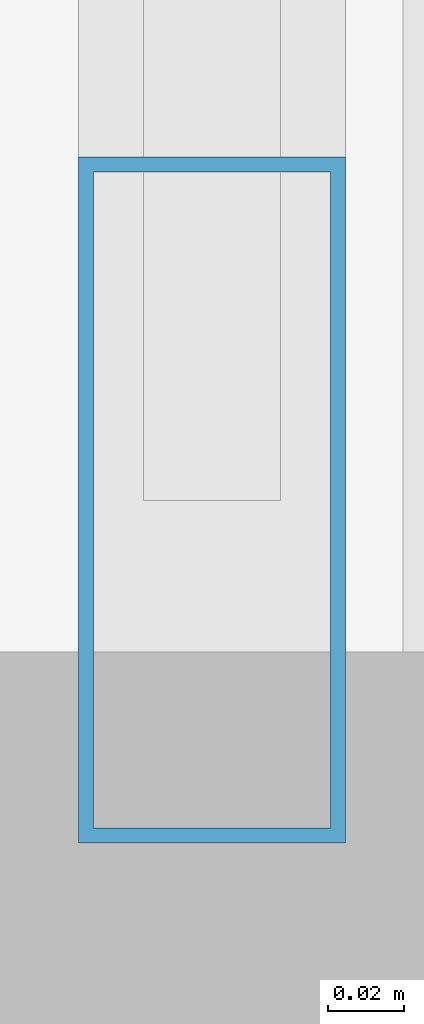
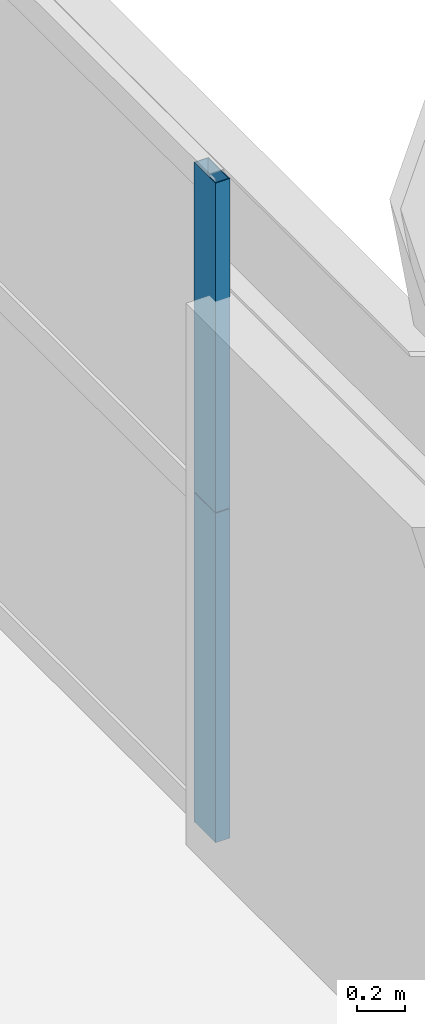
# One storey, part 16 of 41: 2 members, 1 element without a shape of its own.
"""IFC4 building model written with IfcOpenShell, lengths in metres."""

from ifc_helpers import new_model, si_unit, direction, frame, origin, origin_2d, place, context, subcontext, project, spatial, hollow_rectangle, extrude, source, transform, mapped, material, layer, layer_set, material_profile, profile_set, type_object, element, aggregate, save


model = new_model("IFC4")

# Units and contexts
model_context = context("Model", 3, precision=1e-05, world=origin(), true_north=direction((0.0, 1.0)))
body_context = subcontext(model_context, "Body", "Model", "MODEL_VIEW")
ifc_project = project(units=[si_unit("LENGTHUNIT", "METRE"), si_unit("AREAUNIT", "SQUARE_METRE"), si_unit("VOLUMEUNIT", "CUBIC_METRE"), si_unit("PLANEANGLEUNIT", "RADIAN"), si_unit("MASSUNIT", "GRAM", prefix="KILO"), si_unit("THERMODYNAMICTEMPERATUREUNIT", "KELVIN"), si_unit("POWERUNIT", "WATT")], contexts=[model_context])

# Site, building, storey
site_placement = place(None, origin())
site = spatial("IfcSite", under=ifc_project, at=site_placement, CompositionType="ELEMENT")
building_placement = place(site_placement, origin())
building = spatial("IfcBuilding", under=site, at=building_placement, Name="Yuzanri Waterfront Tower", CompositionType="ELEMENT")
storey_placement = place(building_placement, frame((0.0, 0.0, 122.60009765625)))
storey = spatial("IfcBuildingStorey", under=building, at=storey_placement, Name="L32", CompositionType="ELEMENT", Elevation=122.60009765625)

# Curtain wall, members
ifc_material_1 = material(Name="Anodized Architectural Bronze", Category="metal")
ifc_layer = layer(ifc_material_1, 0.159912109375)
ifc_layer_set = layer_set([ifc_layer], Name="Anodized Architectural Bronze")
curtain_wall_type = type_object("IfcCurtainWallType", Name="Anodized Bronze Hotel Upper-Tier Solar-Control Unitized Curtain Wall 7800", PredefinedType="NOTDEFINED", material=ifc_layer_set)
curtain_wall_placement = place(storey_placement, origin())
curtain_wall = element("IfcCurtainWall", 1, at=curtain_wall_placement, inside=storey, type_object=curtain_wall_type, Name="L32 Curtain Wall CW-L32-EL", PredefinedType="NOTDEFINED")
ifc_material_2 = material(Name="Anodized Architectural Bronze", Category="metal")
ifc_material_profile = material_profile(ifc_material_2, hollow_rectangle(XDim=0.070068359375, YDim=0.179931640625, WallThickness=0.00390625, at=origin_2d()), Name="CWM 70x180")
ifc_profile_set = profile_set([ifc_material_profile], Name="Anodized Architectural Bronze")
member_type = type_object("IfcMemberType", Name="Anodized Bronze Standard Curtain-Wall Mullion 70x180", PredefinedType="MULLION", material=ifc_profile_set)
shared_shape = source(origin(), body_context, "Body", "SweptSolid", [
    extrude(hollow_rectangle(XDim=0.070068359375, YDim=0.179931640625, WallThickness=0.00390625, at=origin_2d()), origin(), (0.0, 0.0, 1.0), 1.68798828125),
])
member_1_placement = place(storey_placement, frame((60.449951171875, 9.590087890625, 0.0), z_axis=(0.0, 0.0, 1.0), x_axis=(1.0, 0.0, 0.0)))
member_1 = element("IfcMember", 2, at=member_1_placement, type_object=member_type, Name="CW-L32-EL Lower Mullion 00", PredefinedType="MULLION", context=body_context, shape_type="MappedRepresentation", body=[
    mapped(shared_shape, transform((0.0, 0.0, 0.0), scale=1.0)),
])
member_2_placement = place(storey_placement, frame((60.449951171875, 9.590087890625, 1.69189453125), z_axis=(0.0, 0.0, 1.0), x_axis=(1.0, 0.0, 0.0)))
member_2 = element("IfcMember", 3, at=member_2_placement, type_object=member_type, Name="CW-L32-EL Upper Mullion 00", PredefinedType="MULLION", context=body_context, shape_type="MappedRepresentation", body=[
    mapped(shared_shape, transform((0.0, 0.0, 0.0), scale=1.0)),
])
aggregate(curtain_wall, [member_1, member_2])

save(model, "model.ifc")
